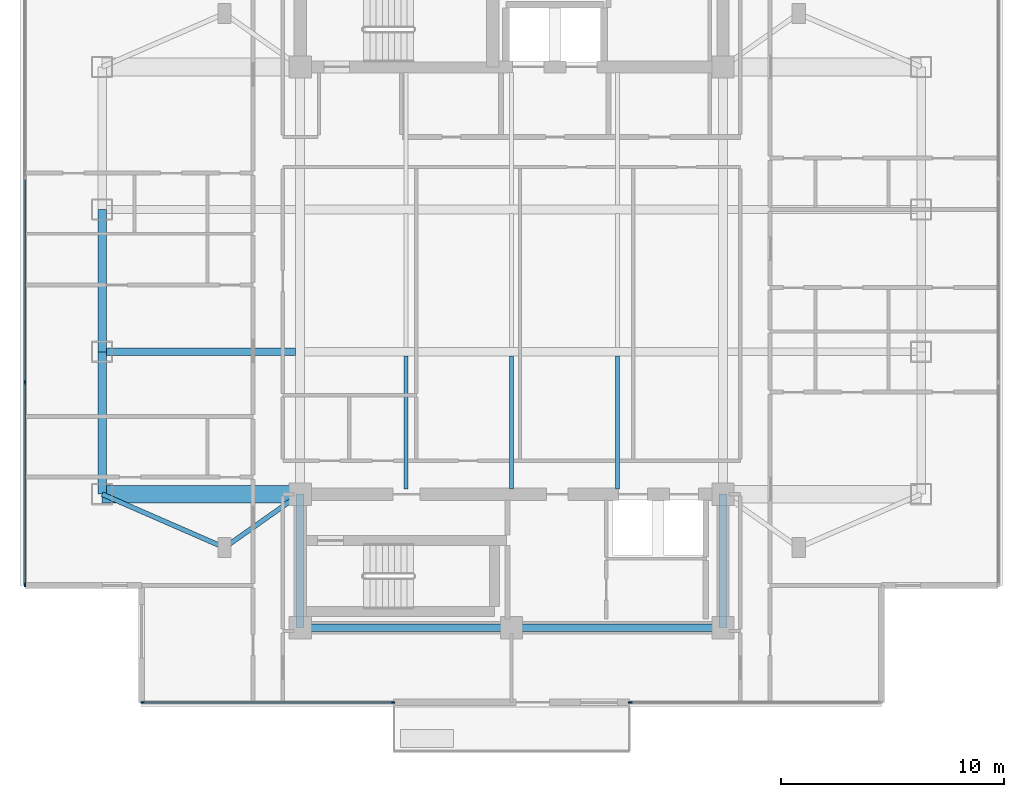
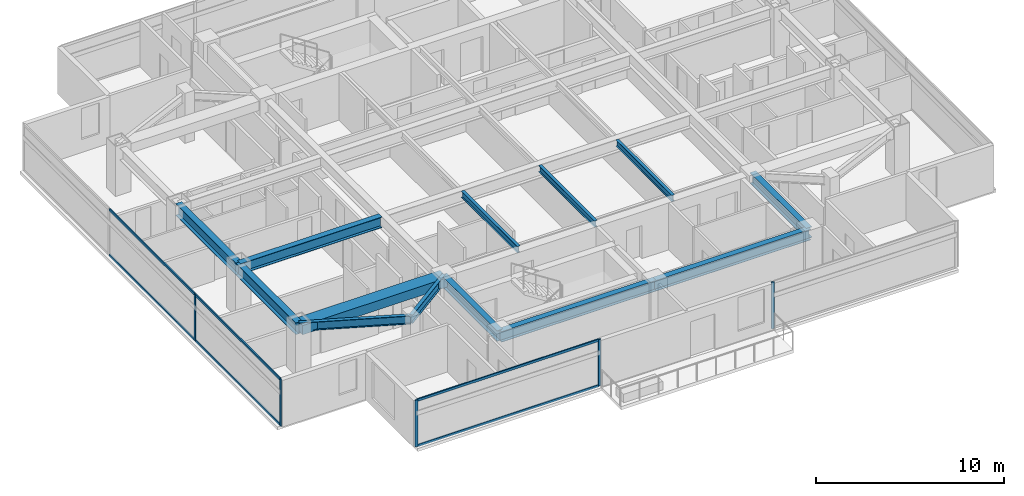
# One storey, part 2 of 25: 13 beams, 11 members, 3 elements without a shape of their own.
"""IFC4 building model written with IfcOpenShell, lengths in metres."""

import ifcopenshell
import ifcopenshell.guid

model = None  # the IFC model being written
_history = None  # IfcOwnerHistory: only IFC2X3 demands one
_inside = {}  # id of a spatial element -> (the spatial element, [elements in it])
_under = {}  # id of a project, library or spatial element -> (it, [spatial elements below it])
_declared = {}  # id of a project -> (the project, [libraries it declares])
_typed = {}  # id of a type object -> (the type object, [elements of that type])
_made_of = {}  # id of a material, layer set ... -> (it, [elements and type objects made of it])


def new_model(schema):
    """Start an empty IFC model of exactly this schema.

    Asked for "IFC4X3", IfcOpenShell would pick the latest addendum, in which some entities
    have other attributes; the version numbers below select the first issue.
    IFC2X3 requires an IfcOwnerHistory on every rooted entity: one is made here for all.
    """
    global model, _history
    if schema == "IFC4X3":
        model = ifcopenshell.file(schema_version=(4, 3, 0, 0))
    else:
        model = ifcopenshell.file(schema=schema)
    _inside.clear()
    _under.clear()
    _declared.clear()
    _typed.clear()
    _made_of.clear()
    _history = None
    if model.schema == "IFC2X3":
        org = make("IfcOrganization", Name="unknown")
        user = make(
            "IfcPersonAndOrganization",
            ThePerson=make("IfcPerson", FamilyName="unknown"),
            TheOrganization=org,
        )
        app = make(
            "IfcApplication",
            ApplicationDeveloper=org,
            Version="unknown",
            ApplicationFullName="unknown",
            ApplicationIdentifier="unknown",
        )
        _history = make(
            "IfcOwnerHistory",
            OwningUser=user,
            OwningApplication=app,
            ChangeAction="ADDED",
            CreationDate=0,
        )
    return model


def make(cls, **values):
    """One entity of the class cls with the attributes given. An attribute that is None is left unset."""
    return model.create_entity(
        cls, **{name: value for name, value in values.items() if value is not None}
    )


def rooted(cls, **values):
    """An entity with a GlobalId (a new one), such as an element, a storey or a relation."""
    return make(cls, GlobalId=ifcopenshell.guid.new(), OwnerHistory=_history, **values)


def si_unit(unit_type, name, prefix=None):
    """IfcSIUnit, for example si_unit("LENGTHUNIT", "METRE", prefix="MILLI")."""
    return make("IfcSIUnit", UnitType=unit_type, Prefix=prefix, Name=name)


def assignment(units):
    """IfcUnitAssignment: the units of a project."""
    return None if units is None else make("IfcUnitAssignment", Units=units)


def point(xyz):
    """IfcCartesianPoint."""
    return None if xyz is None else make("IfcCartesianPoint", Coordinates=xyz)


def direction(xyz):
    """IfcDirection."""
    return None if xyz is None else make("IfcDirection", DirectionRatios=xyz)


def frame(location, z_axis=None, x_axis=None):
    """IfcAxis2Placement3D, a coordinate frame: its origin and axes. An axis left out is left unset."""
    return make(
        "IfcAxis2Placement3D",
        Location=point(location),
        Axis=direction(z_axis),
        RefDirection=direction(x_axis),
    )


def frame_2d(location, x_axis=None):
    """IfcAxis2Placement2D, a coordinate frame in the plane: its origin and x axis."""
    return make(
        "IfcAxis2Placement2D", Location=point(location), RefDirection=direction(x_axis)
    )


def origin():
    """The frame at (0, 0, 0) with its axes left unset."""
    return frame((0.0, 0.0, 0.0))


def origin_2d():
    """The frame at (0, 0) in the plane with its x axis left unset."""
    return frame_2d((0.0, 0.0))


def place(relative_to, where):
    """IfcLocalPlacement: puts the frame where relative to a parent placement (None: the world)."""
    return make(
        "IfcLocalPlacement", PlacementRelTo=relative_to, RelativePlacement=where
    )


def context(
    kind, dimensions, precision=None, world=None, true_north=None, identifier=None
):
    """IfcGeometricRepresentationContext, for example the 3D "Model" context."""
    return make(
        "IfcGeometricRepresentationContext",
        ContextIdentifier=identifier,
        ContextType=kind,
        CoordinateSpaceDimension=dimensions,
        Precision=precision,
        WorldCoordinateSystem=world,
        TrueNorth=true_north,
    )


def subcontext(parent, identifier, kind, view, scale=None):
    """IfcGeometricRepresentationSubContext, for example "Body" below "Model"."""
    return make(
        "IfcGeometricRepresentationSubContext",
        ContextIdentifier=identifier,
        ContextType=kind,
        ParentContext=parent,
        TargetScale=scale,
        TargetView=view,
    )


def project(units=None, contexts=None):
    """IfcProject with its units and contexts."""
    return rooted(
        "IfcProject",
        Name="project",
        RepresentationContexts=contexts,
        UnitsInContext=assignment(units),
    )


def spatial(cls, under=None, at=None, **own):
    """A site, building, storey or space (cls), placed at a placement, below another one or the project."""
    s = rooted(cls, ObjectPlacement=at, **own)
    if under is not None:
        _under.setdefault(under.id(), (under, []))[1].append(s)
    return s


def profile(cls, at=None, kind="AREA", **sizes):
    """A parametric profile (cls). Its sizes go by their IFC names, for example OverallWidth=200.0."""
    return make(cls, ProfileType=kind, Position=at, **sizes)


def rectangle(**sizes):
    """IfcRectangleProfileDef."""
    return profile("IfcRectangleProfileDef", **sizes)


def i_section(**sizes):
    """IfcIShapeProfileDef."""
    return profile("IfcIShapeProfileDef", **sizes)


def extrude(swept, where, along, depth):
    """IfcExtrudedAreaSolid: the profile swept, set in the frame where, extruded along a direction by depth."""
    return make(
        "IfcExtrudedAreaSolid",
        SweptArea=swept,
        Position=where,
        ExtrudedDirection=direction(along),
        Depth=depth,
    )


def shape(context_of_items, identifier, shape_type, items):
    """IfcShapeRepresentation: the items that make up one representation, for example the "Body"."""
    return make(
        "IfcShapeRepresentation",
        ContextOfItems=context_of_items,
        RepresentationIdentifier=identifier,
        RepresentationType=shape_type,
        Items=items,
    )


def material(Name=None, Category=None):
    """IfcMaterial."""
    return make("IfcMaterial", Name=Name, Category=Category)


def material_profile(
    of_material, cross_section, Name=None, Category=None, Priority=None
):
    """IfcMaterialProfile: a cross section and its material."""
    return make(
        "IfcMaterialProfile",
        Name=Name,
        Material=of_material,
        Profile=cross_section,
        Priority=Priority,
        Category=Category,
    )


def profile_set(profiles, Name=None, composite=None):
    """IfcMaterialProfileSet."""
    return make(
        "IfcMaterialProfileSet",
        Name=Name,
        MaterialProfiles=profiles,
        CompositeProfile=composite,
    )


def made_of(thing, what):
    """Note that an element or type object is made of a material, layer set ...; save() writes the relation."""
    if what is not None:
        _made_of.setdefault(what.id(), (what, []))[1].append(thing)
    return thing


def type_object(cls, material=None, **own):
    """A type object (cls), such as IfcWallType, which elements share."""
    return made_of(rooted(cls, **own), material)


def element(
    cls,
    number,
    at=None,
    inside=None,
    cuts=None,
    type_object=None,
    material=None,
    context=None,
    identifier="Body",
    shape_type=None,
    held_by="IfcProductDefinitionShape",
    body=None,
    shapes=None,
    **own,
):
    """One element of the class cls, such as IfcWall. Its Tag is "e" and its number.

    at: its placement. inside: the storey or other place that contains it. cuts: it is an
    opening in that element (IfcRelVoidsElement). A single representation is given by context,
    identifier, shape_type and body (its items); several are given by shapes. held_by: the class
    of the entity that holds the representations. save() writes the other relations.
    """
    e = rooted(cls, Tag="e%d" % number, ObjectPlacement=at, **own)
    if body is not None:
        shapes = [shape(context, identifier, shape_type, body)]
    if shapes is not None:
        e.Representation = make(held_by, Representations=shapes)
    if inside is not None:
        _inside.setdefault(inside.id(), (inside, []))[1].append(e)
    if cuts is not None:
        rooted(
            "IfcRelVoidsElement", RelatingBuildingElement=cuts, RelatedOpeningElement=e
        )
    if type_object is not None:
        _typed.setdefault(type_object.id(), (type_object, []))[1].append(e)
    return made_of(e, material)


def aggregate(whole, parts):
    """IfcRelAggregates: a whole, such as a stair, and the parts it consists of."""
    return rooted("IfcRelAggregates", RelatingObject=whole, RelatedObjects=parts)


def save(model, path):
    """Write the relations noted so far, then the file.

    IfcRelAggregates (storeys below a building ...), IfcRelContainedInSpatialStructure (elements
    in a storey), IfcRelDefinesByType, IfcRelAssociatesMaterial and IfcRelDeclares: one each for
    every whole, place, type object, material and project.
    """
    for whole, parts in _under.values():
        aggregate(whole, parts)
    for where, things in _inside.values():
        rooted(
            "IfcRelContainedInSpatialStructure",
            RelatedElements=things,
            RelatingStructure=where,
        )
    for kind, things in _typed.values():
        rooted("IfcRelDefinesByType", RelatedObjects=things, RelatingType=kind)
    for what, things in _made_of.values():
        rooted("IfcRelAssociatesMaterial", RelatedObjects=things, RelatingMaterial=what)
    for by, libraries in _declared.values():
        rooted("IfcRelDeclares", RelatingContext=by, RelatedDefinitions=libraries)
    model.write(path)


model = new_model("IFC4")

# Units and contexts
model_context = context("Model", 3, precision=1e-05, world=origin(), true_north=direction((0.0, 1.0)))
body_context = subcontext(model_context, "Body", "Model", "MODEL_VIEW")
ifc_project = project(units=[si_unit("LENGTHUNIT", "METRE"), si_unit("AREAUNIT", "SQUARE_METRE"), si_unit("VOLUMEUNIT", "CUBIC_METRE"), si_unit("PLANEANGLEUNIT", "RADIAN"), si_unit("MASSUNIT", "GRAM", prefix="KILO")], contexts=[model_context])

# Site, building, storey
site_placement = place(None, origin())
site = spatial("IfcSite", under=ifc_project, at=site_placement, CompositionType="ELEMENT")
building_placement = place(site_placement, origin())
building = spatial("IfcBuilding", under=site, at=building_placement, Name="Mirazonda Arch Towers", CompositionType="ELEMENT")
storey_placement = place(building_placement, frame((0.0, 0.0, 180.39990234375)))
storey = spatial("IfcBuildingStorey", under=building, at=storey_placement, Name="L51", CompositionType="ELEMENT", Elevation=180.39990234375)

# Beams
ifc_material_1 = material(Name="Steel ASTM A992 Grade 50", Category="steel")
ifc_material_profile_1 = material_profile(ifc_material_1, i_section(OverallWidth=0.381103515625, OverallDepth=0.77294921875, WebThickness=0.0166015625, FlangeThickness=0.027099609375, at=origin_2d()), Name="W30X173")
ifc_profile_set_1 = profile_set([ifc_material_profile_1], Name="Steel ASTM A992 Grade 50")
beam_type_1 = type_object("IfcBeamType", Name="BM-EXT-W30X173", PredefinedType="USERDEFINED", material=ifc_profile_set_1)
beam_1_placement = place(storey_placement, frame((2.10009765625, 18.39990234375, 2.66357421875), z_axis=(0.0, 1.0, 0.0), x_axis=(-1.0, 0.0, 0.0)))
element("IfcBeam", 1, at=beam_1_placement, inside=storey, type_object=beam_type_1, Name="L51 Floor Beam BM-T1-L51-NS-W-18", ObjectType="GIRDER", PredefinedType="USERDEFINED", context=body_context, shape_type="SweptSolid", body=[
    extrude(i_section(OverallWidth=0.381103515625, OverallDepth=0.77294921875, WebThickness=0.0166015625, FlangeThickness=0.027099609375, at=origin_2d()), origin(), (0.0, 0.0, 1.0), 6.400146484375),
])
beam_2_placement = place(storey_placement, frame((2.10009765625, 24.800048828125, 2.66357421875), z_axis=(0.0, 1.0, 0.0), x_axis=(-1.0, 0.0, 0.0)))
element("IfcBeam", 2, at=beam_2_placement, inside=storey, type_object=beam_type_1, Name="L51 Floor Beam BM-T1-L51-NS-W-24", ObjectType="GIRDER", PredefinedType="USERDEFINED", context=body_context, shape_type="SweptSolid", body=[
    extrude(i_section(OverallWidth=0.381103515625, OverallDepth=0.77294921875, WebThickness=0.0166015625, FlangeThickness=0.027099609375, at=origin_2d()), origin(), (0.0, 0.0, 1.0), 6.39990234375),
])
ifc_material_profile_2 = material_profile(ifc_material_1, i_section(OverallWidth=0.180908203125, OverallDepth=0.4169921875, WebThickness=0.010986328125, FlangeThickness=0.018310546875, at=origin_2d()), Name="W16X57")
ifc_profile_set_2 = profile_set([ifc_material_profile_2], Name="Steel ASTM A992 Grade 50")
beam_type_2 = type_object("IfcBeamType", Name="BM-INT-W16X57", PredefinedType="JOIST", material=ifc_profile_set_2)
for number, where, z_axis, x_axis, name in (
    (3, (15.75, 18.639892578125, 2.841552734375), (0.0, 1.0, 0.0), (-1.0, 0.0, 0.0), "L51 Floor Beam BM-T1-L51-J-157-18"),
    (4, (20.5, 18.639892578125, 2.841552734375), (0.0, 1.0, 0.0), (-1.0, 0.0, 0.0), "L51 Floor Beam BM-T1-L51-J-205-18"),
    (5, (25.25, 18.639892578125, 2.841552734375), (0.0, 1.0, 0.0), (-1.0, 0.0, 0.0), "L51 Floor Beam BM-T1-L51-J-252-18"),
):
    element("IfcBeam", number, at=place(storey_placement, frame(where, z_axis=z_axis, x_axis=x_axis)), inside=storey, type_object=beam_type_2, Name=name, PredefinedType="JOIST", context=body_context, shape_type="SweptSolid", body=[
        extrude(i_section(OverallWidth=0.180908203125, OverallDepth=0.4169921875, WebThickness=0.010986328125, FlangeThickness=0.018310546875, at=origin_2d()), origin(), (0.0, 0.0, 1.0), 5.964111328125),
    ])
ifc_material_profile_3 = material_profile(ifc_material_1, i_section(OverallWidth=0.214111328125, OverallDepth=0.549072265625, WebThickness=0.0146484375, FlangeThickness=0.023681640625, at=origin_2d()), Name="W21X93")
ifc_profile_set_3 = profile_set([ifc_material_profile_3], Name="Steel ASTM A992 Grade 50")
beam_type_3 = type_object("IfcBeamType", Name="BM-INT-W21X93", PredefinedType="BEAM", material=ifc_profile_set_3)
beam_3_placement = place(storey_placement, frame((7.60009765625, 16.0, 2.775634765625), z_axis=(0.816971114901, 0.576678591087, 0.0), x_axis=(-0.576678591087, 0.816971114901, 0.0)))
element("IfcBeam", 6, at=beam_3_placement, inside=storey, type_object=beam_type_3, Name="L51 Floor Beam BM-T1-L51-PL-SW1", PredefinedType="BEAM", context=body_context, shape_type="SweptSolid", body=[
    extrude(i_section(OverallWidth=0.214111328125, OverallDepth=0.549072265625, WebThickness=0.0146484375, FlangeThickness=0.023681640625, at=origin_2d()), origin(), (0.0, 0.0, 1.0), 4.16162109375),
])
beam_4_placement = place(storey_placement, frame((7.60009765625, 16.0, 2.775634765625), z_axis=(-0.916545343703, 0.399930785183, 0.0), x_axis=(-0.399930785183, -0.916545343703, 0.0)))
element("IfcBeam", 7, at=beam_4_placement, inside=storey, type_object=beam_type_3, Name="L51 Floor Beam BM-T1-L51-PL-SW2", PredefinedType="BEAM", context=body_context, shape_type="SweptSolid", body=[
    extrude(i_section(OverallWidth=0.214111328125, OverallDepth=0.549072265625, WebThickness=0.0146484375, FlangeThickness=0.023681640625, at=origin_2d()), origin(), (0.0, 0.0, 1.0), 6.000732421875),
])
ifc_material_profile_4 = material_profile(ifc_material_1, i_section(OverallWidth=0.35498046875, OverallDepth=0.696044921875, WebThickness=0.015380859375, FlangeThickness=0.02490234375, at=origin_2d()), Name="W27X146")
ifc_profile_set_4 = profile_set([ifc_material_profile_4], Name="Steel ASTM A992 Grade 50")
beam_type_4 = type_object("IfcBeamType", Name="BM-INT-W27X146", PredefinedType="BEAM", material=ifc_profile_set_4)
beam_5_placement = place(storey_placement, frame((2.10009765625, 24.800048828125, 2.7021484375), z_axis=(1.0, 0.0, 0.0), x_axis=(0.0, 1.0, 0.0)))
element("IfcBeam", 8, at=beam_5_placement, inside=storey, type_object=beam_type_4, Name="L51 Floor Beam BM-T1-L51-GW2", PredefinedType="BEAM", context=body_context, shape_type="SweptSolid", body=[
    extrude(i_section(OverallWidth=0.35498046875, OverallDepth=0.696044921875, WebThickness=0.015380859375, FlangeThickness=0.02490234375, at=origin_2d()), origin(), (0.0, 0.0, 1.0), 8.699951171875),
])
for number, where, z_axis, x_axis, name in (
    (9, (11.0, 12.39990234375, 2.7021484375), (1.0, 0.0, 0.0), (0.0, 1.0, 0.0), "L51 Floor Beam BM-T1-L51-CS1"),
    (10, (20.5, 12.39990234375, 2.7021484375), (1.0, 0.0, 0.0), (0.0, 1.0, 0.0), "L51 Floor Beam BM-T1-L51-CS2"),
):
    element("IfcBeam", number, at=place(storey_placement, frame(where, z_axis=z_axis, x_axis=x_axis)), inside=storey, type_object=beam_type_4, Name=name, PredefinedType="BEAM", context=body_context, shape_type="SweptSolid", body=[
        extrude(i_section(OverallWidth=0.35498046875, OverallDepth=0.696044921875, WebThickness=0.015380859375, FlangeThickness=0.02490234375, at=origin_2d()), origin(), (0.0, 0.0, 1.0), 9.5),
    ])
for number, where, z_axis, x_axis, name in (
    (11, (11.0, 12.39990234375, 2.7021484375), (0.0, 1.0, 0.0), (-1.0, 0.0, 0.0), "L51 Floor Beam BM-T1-L51-CSW"),
    (12, (30.0, 12.39990234375, 2.7021484375), (0.0, 1.0, 0.0), (-1.0, 0.0, 0.0), "L51 Floor Beam BM-T1-L51-CSE"),
):
    element("IfcBeam", number, at=place(storey_placement, frame(where, z_axis=z_axis, x_axis=x_axis)), inside=storey, type_object=beam_type_4, Name=name, PredefinedType="BEAM", context=body_context, shape_type="SweptSolid", body=[
        extrude(i_section(OverallWidth=0.35498046875, OverallDepth=0.696044921875, WebThickness=0.015380859375, FlangeThickness=0.02490234375, at=origin_2d()), origin(), (0.0, 0.0, 1.0), 6.0),
    ])
ifc_material_2 = material(Name="Concrete C60/75", Category="concrete")
ifc_material_profile_5 = material_profile(ifc_material_2, rectangle(XDim=0.800048828125, YDim=0.60009765625, at=origin_2d()), Name="RCCB800x600")
ifc_profile_set_5 = profile_set([ifc_material_profile_5], Name="Concrete C60/75")
beam_type_5 = type_object("IfcBeamType", Name="CB-INT-RCCB800x600", PredefinedType="SPANDREL", material=ifc_profile_set_5)
beam_6_placement = place(storey_placement, frame((2.10009765625, 18.39990234375, 2.75), z_axis=(1.0, 0.0, 0.0), x_axis=(0.0, 1.0, 0.0)))
element("IfcBeam", 13, at=beam_6_placement, inside=storey, type_object=beam_type_5, Name="L51 Floor Beam CBC-T1-L51-SW", PredefinedType="SPANDREL", context=body_context, shape_type="SweptSolid", body=[
    extrude(rectangle(XDim=0.800048828125, YDim=0.60009765625, at=origin_2d()), origin(), (0.0, 0.0, 1.0), 8.89990234375),
])

# Curtain wall, member
ifc_material_3 = material(Name="Anodised Aluminium and Low-E Glass", Category="aluminium")
curtain_wall_type = type_object("IfcCurtainWallType", Name="CW-RES-UNIT", PredefinedType="NOTDEFINED", material=ifc_material_3)
curtain_wall_1_placement = place(storey_placement, origin())
curtain_wall_1 = element("IfcCurtainWall", 14, at=curtain_wall_1_placement, inside=storey, type_object=curtain_wall_type, Name="L51 Curtain Wall CW-L51-T1-SA", PredefinedType="NOTDEFINED")
ifc_material_4 = material(Name="Anodised Aluminium Alloy", Category="aluminium")
ifc_material_profile_6 = material_profile(ifc_material_4, rectangle(XDim=0.074951171875, YDim=0.175048828125, at=origin_2d()), Name="ALU-MULL-75x175")
ifc_profile_set_6 = profile_set([ifc_material_profile_6], Name="Anodised Aluminium Alloy")
member_type_1 = type_object("IfcMemberType", Name="MULL-CW-RES-UNIT", PredefinedType="MULLION", material=ifc_profile_set_6)
member_1_placement = place(storey_placement, frame((25.827392578125, 9.0458984375, 0.0), z_axis=(0.0, 0.0, 1.0), x_axis=(0.0, -1.0, 0.0)))
member_1 = element("IfcMember", 15, at=member_1_placement, type_object=member_type_1, Name="CW-104 mullion 2", PredefinedType="MULLION", context=body_context, shape_type="SweptSolid", body=[
    extrude(rectangle(XDim=0.074951171875, YDim=0.175048828125, at=origin_2d()), origin(), (0.0, 0.0, 1.0), 3.030029296875),
])
aggregate(curtain_wall_1, [member_1])

# Curtain wall, members
curtain_wall_2_placement = place(storey_placement, origin())
curtain_wall_2 = element("IfcCurtainWall", 16, at=curtain_wall_2_placement, inside=storey, type_object=curtain_wall_type, Name="L51 Curtain Wall CW-L51-T1-SB", PredefinedType="NOTDEFINED")
member_2_placement = place(storey_placement, frame((15.172607421875, 9.0458984375, 0.0), z_axis=(0.0, 0.0, 1.0), x_axis=(0.0, -1.0, 0.0)))
member_2 = element("IfcMember", 17, at=member_2_placement, type_object=member_type_1, Name="CW-104 mullion 1", PredefinedType="MULLION", context=body_context, shape_type="SweptSolid", body=[
    extrude(rectangle(XDim=0.074951171875, YDim=0.175048828125, at=origin_2d()), origin(), (0.0, 0.0, 1.0), 3.030029296875),
])
member_3_placement = place(storey_placement, frame((3.91259765625, 9.0458984375, 0.0), z_axis=(0.0, 0.0, 1.0), x_axis=(0.0, -1.0, 0.0)))
member_3 = element("IfcMember", 18, at=member_3_placement, type_object=member_type_1, Name="CW-104 mullion 2", PredefinedType="MULLION", context=body_context, shape_type="SweptSolid", body=[
    extrude(rectangle(XDim=0.074951171875, YDim=0.175048828125, at=origin_2d()), origin(), (0.0, 0.0, 1.0), 3.030029296875),
])

curtain_wall_3_placement = place(storey_placement, origin())
curtain_wall_3 = element("IfcCurtainWall", 19, at=curtain_wall_3_placement, inside=storey, type_object=curtain_wall_type, Name="L51 T1 W Facade CW-L51-T1-W", PredefinedType="NOTDEFINED")
member_4_placement = place(storey_placement, frame((-1.3701171875, 23.430419921875, 0.0), z_axis=(0.0, 0.0, 1.0), x_axis=(1.0, 0.0, 0.0)))
member_4 = element("IfcMember", 20, at=member_4_placement, type_object=member_type_1, Name="CW-104 mullion 3", PredefinedType="MULLION", context=body_context, shape_type="SweptSolid", body=[
    extrude(rectangle(XDim=0.074951171875, YDim=0.175048828125, at=origin_2d()), origin(), (0.0, 0.0, 1.0), 3.030029296875),
])
member_5_placement = place(storey_placement, frame((-1.3701171875, 14.32861328125, 0.0), z_axis=(0.0, 0.0, 1.0), x_axis=(1.0, 0.0, 0.0)))
member_5 = element("IfcMember", 21, at=member_5_placement, type_object=member_type_1, Name="CW-104 mullion 4", PredefinedType="MULLION", context=body_context, shape_type="SweptSolid", body=[
    extrude(rectangle(XDim=0.074951171875, YDim=0.175048828125, at=origin_2d()), origin(), (0.0, 0.0, 1.0), 3.030029296875),
])

# Member
ifc_material_profile_7 = material_profile(ifc_material_4, rectangle(XDim=0.074951171875, YDim=0.155029296875, at=origin_2d()), Name="ALU-TRAN-75x155")
ifc_profile_set_7 = profile_set([ifc_material_profile_7], Name="Anodised Aluminium Alloy")
member_type_2 = type_object("IfcMemberType", Name="TRAN-CW-RES-UNIT", PredefinedType="USERDEFINED", material=ifc_profile_set_7)
member_6_placement = place(storey_placement, frame((15.135009765625, 9.0458984375, 0.03759765625), z_axis=(-1.0, 0.0, 0.0), x_axis=(0.0, -1.0, 0.0)))
member_6 = element("IfcMember", 22, at=member_6_placement, type_object=member_type_2, Name="CW-104 transom 1.1", ObjectType="TRANSOM", PredefinedType="USERDEFINED", context=body_context, shape_type="SweptSolid", body=[
    extrude(rectangle(XDim=0.074951171875, YDim=0.155029296875, at=origin_2d()), origin(), (0.0, 0.0, 1.0), 11.18505859375),
])

member_7_placement = place(storey_placement, frame((15.135009765625, 9.0458984375, 2.99267578125), z_axis=(-1.0, 0.0, 0.0), x_axis=(0.0, -1.0, 0.0)))
member_7 = element("IfcMember", 23, at=member_7_placement, type_object=member_type_2, Name="CW-104 transom 1.2", ObjectType="TRANSOM", PredefinedType="USERDEFINED", context=body_context, shape_type="SweptSolid", body=[
    extrude(rectangle(XDim=0.074951171875, YDim=0.155029296875, at=origin_2d()), origin(), (0.0, 0.0, 1.0), 11.18505859375),
])

aggregate(curtain_wall_2, [member_2, member_3, member_6, member_7])

member_8_placement = place(storey_placement, frame((-1.3701171875, 32.5322265625, 0.03759765625), z_axis=(0.0, -1.0, 0.0), x_axis=(1.0, 0.0, 0.0)))
member_8 = element("IfcMember", 24, at=member_8_placement, type_object=member_type_2, Name="CW-104 transom 2.1", ObjectType="TRANSOM", PredefinedType="USERDEFINED", context=body_context, shape_type="SweptSolid", body=[
    extrude(rectangle(XDim=0.074951171875, YDim=0.155029296875, at=origin_2d()), origin(), (0.0, 0.0, 1.0), 9.064453125),
])

member_9_placement = place(storey_placement, frame((-1.3701171875, 32.5322265625, 2.99267578125), z_axis=(0.0, -1.0, 0.0), x_axis=(1.0, 0.0, 0.0)))
member_9 = element("IfcMember", 25, at=member_9_placement, type_object=member_type_2, Name="CW-104 transom 2.2", ObjectType="TRANSOM", PredefinedType="USERDEFINED", context=body_context, shape_type="SweptSolid", body=[
    extrude(rectangle(XDim=0.074951171875, YDim=0.155029296875, at=origin_2d()), origin(), (0.0, 0.0, 1.0), 9.064453125),
])

member_10_placement = place(storey_placement, frame((-1.3701171875, 23.392822265625, 0.03759765625), z_axis=(0.0, -1.0, 0.0), x_axis=(1.0, 0.0, 0.0)))
member_10 = element("IfcMember", 26, at=member_10_placement, type_object=member_type_2, Name="CW-104 transom 3.1", ObjectType="TRANSOM", PredefinedType="USERDEFINED", context=body_context, shape_type="SweptSolid", body=[
    extrude(rectangle(XDim=0.074951171875, YDim=0.155029296875, at=origin_2d()), origin(), (0.0, 0.0, 1.0), 9.02685546875),
])

member_11_placement = place(storey_placement, frame((-1.3701171875, 23.392822265625, 2.99267578125), z_axis=(0.0, -1.0, 0.0), x_axis=(1.0, 0.0, 0.0)))
member_11 = element("IfcMember", 27, at=member_11_placement, type_object=member_type_2, Name="CW-104 transom 3.2", ObjectType="TRANSOM", PredefinedType="USERDEFINED", context=body_context, shape_type="SweptSolid", body=[
    extrude(rectangle(XDim=0.074951171875, YDim=0.155029296875, at=origin_2d()), origin(), (0.0, 0.0, 1.0), 9.02685546875),
])

aggregate(curtain_wall_3, [member_4, member_5, member_8, member_9, member_10, member_11])

save(model, "model.ifc")
